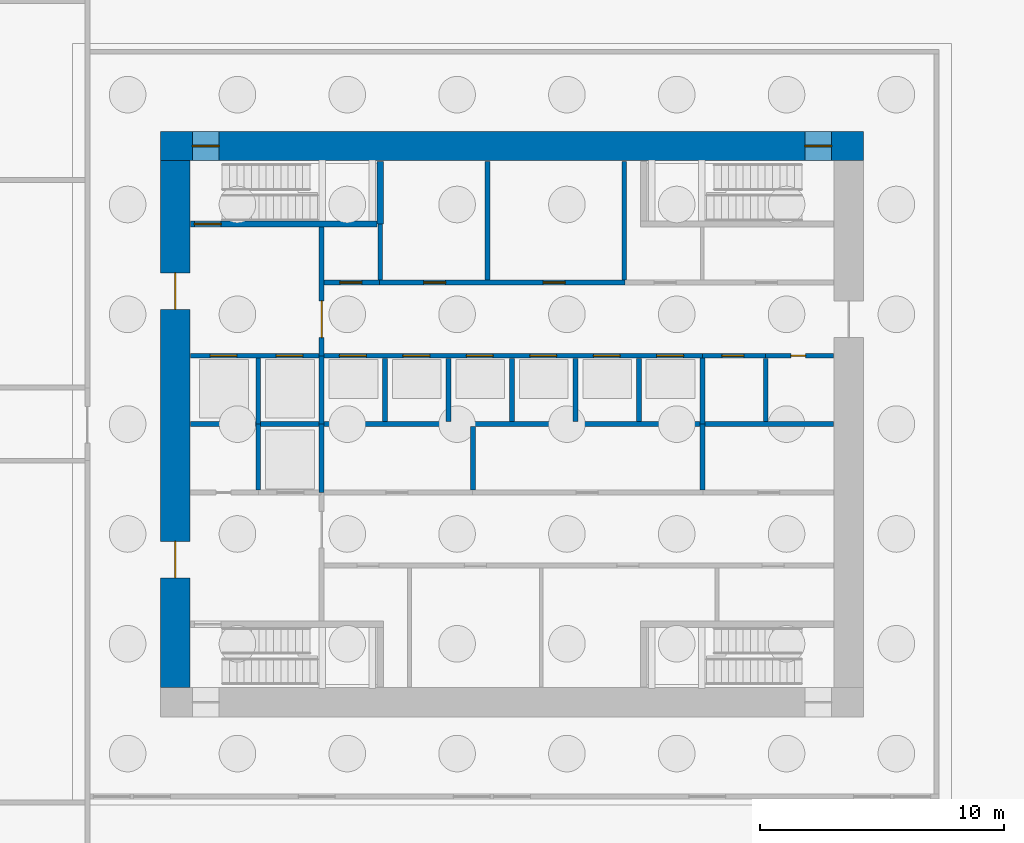
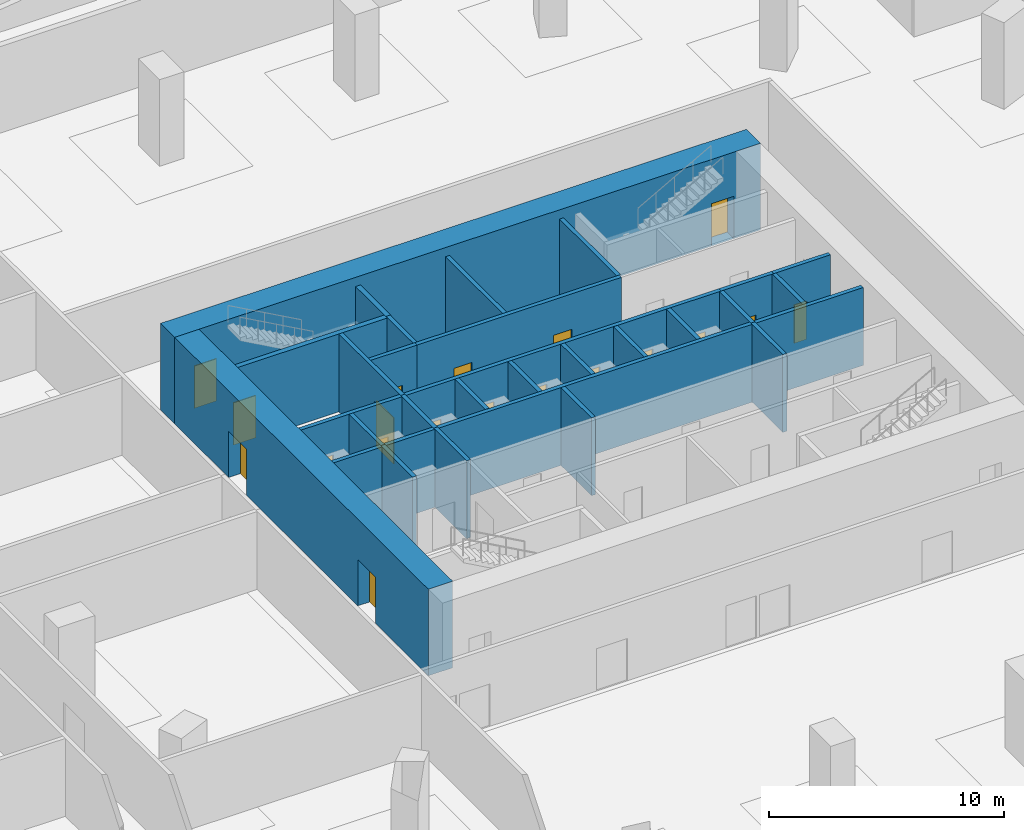
# One storey, part 8 of 14: 28 walls, 19 doors, 19 openings.
"""IFC4 building model written with IfcOpenShell, lengths in metres."""

from ifc_helpers import new_model, si_unit, direction, frame, frame_2d, origin, place, context, subcontext, project, spatial, rectangle, extrude, material, layer, layer_set, type_object, element, fill, save


model = new_model("IFC4")

# Units and contexts
model_context = context("Model", 3, precision=1e-05, world=origin(), true_north=direction((0.0, 1.0)))
body_context = subcontext(model_context, "Body", "Model", "MODEL_VIEW")
ifc_project = project(units=[si_unit("LENGTHUNIT", "METRE"), si_unit("AREAUNIT", "SQUARE_METRE"), si_unit("VOLUMEUNIT", "CUBIC_METRE"), si_unit("PLANEANGLEUNIT", "RADIAN"), si_unit("MASSUNIT", "GRAM", prefix="KILO")], contexts=[model_context])

# Site, building, storey
site_placement = place(None, origin())
site = spatial("IfcSite", under=ifc_project, at=site_placement, CompositionType="ELEMENT")
building_placement = place(site_placement, origin())
building = spatial("IfcBuilding", under=site, at=building_placement, Name="Msitu Wima Residences", CompositionType="ELEMENT")
storey_placement = place(building_placement, frame((0.0, 0.0, -9.0)))
storey = spatial("IfcBuildingStorey", under=building, at=storey_placement, Name="B2", CompositionType="ELEMENT", Elevation=-9.0)

# Wall, openings, doors
ifc_material_1 = material(Name="Concrete C80/95", Category="concrete")
ifc_layer_1 = layer(ifc_material_1, 1.199951171875)
ifc_layer_set_1 = layer_set([ifc_layer_1], Name="Concrete C80/95")
wall_type_1 = type_object("IfcWallType", Name="Core wall CW1200 C80/95", PredefinedType="SHEAR", material=ifc_layer_set_1)
wall_1_placement = place(storey_placement, frame((-14.39990234375, 11.39990234375, 0.0), z_axis=(0.0, 0.0, 1.0), x_axis=(1.0, 0.0, 0.0)))
wall_1 = element("IfcWall", 1, at=wall_1_placement, inside=storey, type_object=wall_type_1, Name="Core wall", PredefinedType="SHEAR", context=body_context, shape_type="SweptSolid", body=[
    extrude(rectangle(XDim=28.7998046875, YDim=1.199951171875, at=frame_2d((14.39990234375, 0.0))), origin(), (0.0, 0.0, 1.0), 4.5),
])
opening_1_placement = place(wall_1_placement, frame((1.300048828125, 0.0, 0.0)))
opening_1 = element("IfcOpeningElement", 2, at=opening_1_placement, cuts=wall_1, Name="Opening DB2.049", PredefinedType="OPENING", context=body_context, shape_type="SweptSolid", body=[
    extrude(rectangle(XDim=1.10009765625, YDim=2.199951171875, at=frame_2d((0.550048828125, 1.10009765625))), frame((0.0, 0.60986328125, 0.0), z_axis=(0.0, -1.0, 0.0), x_axis=(1.0, 0.0, 0.0)), (0.0, 0.0, 1.0), 1.219970703125),
])
opening_2_placement = place(wall_1_placement, frame((26.39990234375, 0.0, 0.0)))
opening_2 = element("IfcOpeningElement", 3, at=opening_2_placement, cuts=wall_1, Name="Opening DB2.051", PredefinedType="OPENING", context=body_context, shape_type="SweptSolid", body=[
    extrude(rectangle(XDim=1.10009765625, YDim=2.199951171875, at=frame_2d((0.550048828125, 1.10009765625))), frame((0.0, 0.60986328125, 0.0), z_axis=(0.0, -1.0, 0.0), x_axis=(1.0, 0.0, 0.0)), (0.0, 0.0, 1.0), 1.219970703125),
])
ifc_material_2 = material(Name="Steel door, fire resisting, panic bar", Category="steel")
door_type_1 = type_object("IfcDoorType", Name="Stair door D06 1100x2200", OperationType="SINGLE_SWING_LEFT", PredefinedType="DOOR", material=ifc_material_2)
door_1_placement = place(opening_1_placement, origin())
door_1 = element("IfcDoor", 4, at=door_1_placement, inside=storey, type_object=door_type_1, Name="Stair door", OperationType="SINGLE_SWING_RIGHT", OverallHeight=2.199951171875, OverallWidth=1.10009765625, PredefinedType="DOOR", context=body_context, shape_type="SweptSolid", body=[
    extrude(rectangle(XDim=1.10009765625, YDim=2.199951171875, at=frame_2d((0.550048828125, 1.10009765625))), frame((0.0, 0.02490234375, 0.0), z_axis=(0.0, -1.0, 0.0), x_axis=(1.0, 0.0, 0.0)), (0.0, 0.0, 1.0), 0.050048828125),
])
fill(opening_1, door_1)
door_2_placement = place(opening_2_placement, origin())
door_2 = element("IfcDoor", 5, at=door_2_placement, inside=storey, type_object=door_type_1, Name="Stair door", OperationType="SINGLE_SWING_LEFT", OverallHeight=2.199951171875, OverallWidth=1.10009765625, PredefinedType="DOOR", context=body_context, shape_type="SweptSolid", body=[
    extrude(rectangle(XDim=1.10009765625, YDim=2.199951171875, at=frame_2d((0.550048828125, 1.10009765625))), frame((0.0, 0.02490234375, 0.0), z_axis=(0.0, -1.0, 0.0), x_axis=(1.0, 0.0, 0.0)), (0.0, 0.0, 1.0), 0.050048828125),
])
fill(opening_2, door_2)

wall_2_placement = place(storey_placement, frame((-13.800048828125, -10.800048828125, 0.0), z_axis=(0.0, 0.0, 1.0), x_axis=(0.0, 1.0, 0.0)))
wall_2 = element("IfcWall", 6, at=wall_2_placement, inside=storey, type_object=wall_type_1, Name="Core wall", PredefinedType="SHEAR", context=body_context, shape_type="SweptSolid", body=[
    extrude(rectangle(XDim=21.60009765625, YDim=1.199951171875, at=frame_2d((10.800048828125, 0.0))), origin(), (0.0, 0.0, 1.0), 4.5),
])
opening_3_placement = place(wall_2_placement, frame((15.5, 0.0, 0.0)))
opening_3 = element("IfcOpeningElement", 7, at=opening_3_placement, cuts=wall_2, Name="Opening DB2.047", PredefinedType="OPENING", context=body_context, shape_type="SweptSolid", body=[
    extrude(rectangle(XDim=1.5, YDim=2.39990234375, at=frame_2d((0.75, 1.199951171875))), frame((0.0, 0.60986328125, 0.0), z_axis=(0.0, -1.0, 0.0), x_axis=(1.0, 0.0, 0.0)), (0.0, 0.0, 1.0), 1.219970703125),
])
opening_4_placement = place(wall_2_placement, frame((4.5, 0.0, 0.0)))
opening_4 = element("IfcOpeningElement", 8, at=opening_4_placement, cuts=wall_2, Name="Opening DB2.048", PredefinedType="OPENING", context=body_context, shape_type="SweptSolid", body=[
    extrude(rectangle(XDim=1.5, YDim=2.39990234375, at=frame_2d((0.75, 1.199951171875))), frame((0.0, 0.60986328125, 0.0), z_axis=(0.0, -1.0, 0.0), x_axis=(1.0, 0.0, 0.0)), (0.0, 0.0, 1.0), 1.219970703125),
])
ifc_material_3 = material(Name="Steel framed glazed door, fire resisting", Category="steel")
door_type_2 = type_object("IfcDoorType", Name="Lobby door D07 1500x2400", OperationType="DOUBLE_DOOR_SINGLE_SWING", PredefinedType="DOOR", material=ifc_material_3)
door_3_placement = place(opening_3_placement, origin())
door_3 = element("IfcDoor", 9, at=door_3_placement, inside=storey, type_object=door_type_2, Name="Lobby door", OperationType="DOUBLE_DOOR_SINGLE_SWING", OverallHeight=2.39990234375, OverallWidth=1.5, PredefinedType="DOOR", context=body_context, shape_type="SweptSolid", body=[
    extrude(rectangle(XDim=1.5, YDim=2.39990234375, at=frame_2d((0.75, 1.199951171875))), frame((0.0, 0.02490234375, 0.0), z_axis=(0.0, -1.0, 0.0), x_axis=(1.0, 0.0, 0.0)), (0.0, 0.0, 1.0), 0.050048828125),
])
fill(opening_3, door_3)
door_4_placement = place(opening_4_placement, origin())
door_4 = element("IfcDoor", 10, at=door_4_placement, inside=storey, type_object=door_type_2, Name="Lobby door", OperationType="DOUBLE_DOOR_SINGLE_SWING", OverallHeight=2.39990234375, OverallWidth=1.5, PredefinedType="DOOR", context=body_context, shape_type="SweptSolid", body=[
    extrude(rectangle(XDim=1.5, YDim=2.39990234375, at=frame_2d((0.75, 1.199951171875))), frame((0.0, 0.02490234375, 0.0), z_axis=(0.0, -1.0, 0.0), x_axis=(1.0, 0.0, 0.0)), (0.0, 0.0, 1.0), 0.050048828125),
])
fill(opening_4, door_4)

# Wall, opening, door
ifc_material_4 = material(Name="Plaster")
ifc_layer_2 = layer(ifc_material_4, 0.011962890625, Name="Plaster")
ifc_material_5 = material(Name="Concrete blockwork", Category="masonry")
ifc_layer_3 = layer(ifc_material_5, 0.176025390625, Name="Concrete blockwork")
ifc_layer_4 = layer(ifc_material_4, 0.011962890625, Name="Plaster")
ifc_layer_set_2 = layer_set([ifc_layer_2, ifc_layer_3, ifc_layer_4], Name="Concrete blockwork")
wall_type_2 = type_object("IfcWallType", Name="Corridor wall FW200", PredefinedType="PARTITIONING", material=ifc_layer_set_2)
wall_3_placement = place(storey_placement, frame((-7.800048828125, 2.800048828125, 0.0), z_axis=(0.0, 0.0, 1.0), x_axis=(0.0, 1.0, 0.0)))
wall_3 = element("IfcWall", 11, at=wall_3_placement, inside=storey, type_object=wall_type_2, Name="Corridor wall", PredefinedType="PARTITIONING", context=body_context, shape_type="SweptSolid", body=[
    extrude(rectangle(XDim=5.27490234375, YDim=0.199951171875, at=frame_2d((2.637451171875, 0.0))), origin(), (0.0, 0.0, 1.0), 4.048095703125),
])
opening_5_placement = place(wall_3_placement, frame((0.75, 0.0, 0.0)))
opening_5 = element("IfcOpeningElement", 12, at=opening_5_placement, cuts=wall_3, Name="Opening DB2.002", PredefinedType="OPENING", context=body_context, shape_type="SweptSolid", body=[
    extrude(rectangle(XDim=1.5, YDim=2.39990234375, at=frame_2d((0.75, 1.199951171875))), frame((0.0, 0.10986328125, 0.0), z_axis=(0.0, -1.0, 0.0), x_axis=(1.0, 0.0, 0.0)), (0.0, 0.0, 1.0), 0.219970703125),
])
door_5_placement = place(opening_5_placement, origin())
door_5 = element("IfcDoor", 13, at=door_5_placement, inside=storey, type_object=door_type_2, Name="Lobby door", OperationType="DOUBLE_DOOR_SINGLE_SWING", OverallHeight=2.39990234375, OverallWidth=1.5, PredefinedType="DOOR", context=body_context, shape_type="SweptSolid", body=[
    extrude(rectangle(XDim=1.5, YDim=2.39990234375, at=frame_2d((0.75, 1.199951171875))), frame((0.0, 0.02490234375, 0.0), z_axis=(0.0, -1.0, 0.0), x_axis=(1.0, 0.0, 0.0)), (0.0, 0.0, 1.0), 0.050048828125),
])
fill(opening_5, door_5)

wall_4_placement = place(storey_placement, frame((-7.699951171875, 5.800048828125, 0.0), z_axis=(0.0, 0.0, 1.0), x_axis=(1.0, 0.0, 0.0)))
wall_4 = element("IfcWall", 14, at=wall_4_placement, inside=storey, type_object=wall_type_2, Name="Corridor wall", PredefinedType="PARTITIONING", context=body_context, shape_type="SweptSolid", body=[
    extrude(rectangle(XDim=2.280029296875, YDim=0.199951171875, at=frame_2d((1.14013671875, 0.0))), origin(), (0.0, 0.0, 1.0), 4.048095703125),
])
opening_6_placement = place(wall_4_placement, frame((0.64990234375, 0.0, 0.0)))
opening_6 = element("IfcOpeningElement", 15, at=opening_6_placement, cuts=wall_4, Name="Opening DB2.004", PredefinedType="OPENING", context=body_context, shape_type="SweptSolid", body=[
    extrude(rectangle(XDim=0.89990234375, YDim=2.199951171875, at=frame_2d((0.449951171875, 1.10009765625))), frame((0.0, 0.10986328125, 0.0), z_axis=(0.0, -1.0, 0.0), x_axis=(1.0, 0.0, 0.0)), (0.0, 0.0, 1.0), 0.219970703125),
])
ifc_material_6 = material(Name="Timber flush door", Category="wood")
door_type_3 = type_object("IfcDoorType", Name="Service door D05 900x2200", OperationType="SINGLE_SWING_LEFT", PredefinedType="DOOR", material=ifc_material_6)
door_6_placement = place(opening_6_placement, origin())
door_6 = element("IfcDoor", 16, at=door_6_placement, inside=storey, type_object=door_type_3, Name="Service door", OperationType="SINGLE_SWING_LEFT", OverallHeight=2.199951171875, OverallWidth=0.89990234375, PredefinedType="DOOR", context=body_context, shape_type="SweptSolid", body=[
    extrude(rectangle(XDim=0.89990234375, YDim=2.199951171875, at=frame_2d((0.449951171875, 1.10009765625))), frame((0.0, 0.02490234375, 0.0), z_axis=(0.0, -1.0, 0.0), x_axis=(1.0, 0.0, 0.0)), (0.0, 0.0, 1.0), 0.050048828125),
])
fill(opening_6, door_6)

wall_5_placement = place(storey_placement, frame((7.800048828125, 2.800048828125, 0.0), z_axis=(0.0, 0.0, 1.0), x_axis=(1.0, 0.0, 0.0)))
wall_5 = element("IfcWall", 17, at=wall_5_placement, inside=storey, type_object=wall_type_2, Name="Corridor wall", PredefinedType="PARTITIONING", context=body_context, shape_type="SweptSolid", body=[
    extrude(rectangle(XDim=2.579833984375, YDim=0.199951171875, at=frame_2d((1.2900390625, 0.0))), origin(), (0.0, 0.0, 1.0), 4.048095703125),
])
opening_7_placement = place(wall_5_placement, frame((0.800048828125, 0.0, 0.0)))
opening_7 = element("IfcOpeningElement", 18, at=opening_7_placement, cuts=wall_5, Name="Opening DB2.013", PredefinedType="OPENING", context=body_context, shape_type="SweptSolid", body=[
    extrude(rectangle(XDim=0.89990234375, YDim=2.199951171875, at=frame_2d((0.449951171875, 1.10009765625))), frame((0.0, 0.10986328125, 0.0), z_axis=(0.0, -1.0, 0.0), x_axis=(1.0, 0.0, 0.0)), (0.0, 0.0, 1.0), 0.219970703125),
])
door_7_placement = place(opening_7_placement, origin())
door_7 = element("IfcDoor", 19, at=door_7_placement, inside=storey, type_object=door_type_3, Name="Service door", OperationType="SINGLE_SWING_RIGHT", OverallHeight=2.199951171875, OverallWidth=0.89990234375, PredefinedType="DOOR", context=body_context, shape_type="SweptSolid", body=[
    extrude(rectangle(XDim=0.89990234375, YDim=2.199951171875, at=frame_2d((0.449951171875, 1.10009765625))), frame((0.0, 0.02490234375, 0.0), z_axis=(0.0, -1.0, 0.0), x_axis=(1.0, 0.0, 0.0)), (0.0, 0.0, 1.0), 0.050048828125),
])
fill(opening_7, door_7)

# Wall, openings, doors
ifc_layer_5 = layer(ifc_material_4, 0.011962890625, Name="Plaster")
ifc_material_7 = material(Name="Reinforced concrete blockwork", Category="masonry")
ifc_layer_6 = layer(ifc_material_7, 0.176025390625, Name="Reinforced concrete blockwork")
ifc_layer_7 = layer(ifc_material_4, 0.011962890625, Name="Plaster")
ifc_layer_set_3 = layer_set([ifc_layer_5, ifc_layer_6, ifc_layer_7], Name="Reinforced concrete blockwork")
wall_type_3 = type_object("IfcWallType", Name="Plant and riser wall PL200", PredefinedType="PARTITIONING", material=ifc_layer_set_3)
wall_6_placement = place(storey_placement, frame((-5.419921875, 5.800048828125, 0.0), z_axis=(0.0, 0.0, 1.0), x_axis=(1.0, 0.0, 0.0)))
wall_6 = element("IfcWall", 20, at=wall_6_placement, inside=storey, type_object=wall_type_3, Name="Plant and riser wall", PredefinedType="PARTITIONING", context=body_context, shape_type="SweptSolid", body=[
    extrude(rectangle(XDim=10.0400390625, YDim=0.199951171875, at=frame_2d((5.02001953125, 0.0))), origin(), (0.0, 0.0, 1.0), 4.048095703125),
])
opening_8_placement = place(wall_6_placement, frame((1.800048828125, 0.0, 0.0)))
opening_8 = element("IfcOpeningElement", 21, at=opening_8_placement, cuts=wall_6, Name="Opening DB2.005", PredefinedType="OPENING", context=body_context, shape_type="SweptSolid", body=[
    extrude(rectangle(XDim=0.89990234375, YDim=2.199951171875, at=frame_2d((0.449951171875, 1.10009765625))), frame((0.0, 0.10986328125, 0.0), z_axis=(0.0, -1.0, 0.0), x_axis=(1.0, 0.0, 0.0)), (0.0, 0.0, 1.0), 0.219970703125),
])
opening_9_placement = place(wall_6_placement, frame((6.699951171875, 0.0, 0.0)))
opening_9 = element("IfcOpeningElement", 22, at=opening_9_placement, cuts=wall_6, Name="Opening DB2.006", PredefinedType="OPENING", context=body_context, shape_type="SweptSolid", body=[
    extrude(rectangle(XDim=0.89990234375, YDim=2.199951171875, at=frame_2d((0.449951171875, 1.10009765625))), frame((0.0, 0.10986328125, 0.0), z_axis=(0.0, -1.0, 0.0), x_axis=(1.0, 0.0, 0.0)), (0.0, 0.0, 1.0), 0.219970703125),
])
door_8_placement = place(opening_8_placement, origin())
door_8 = element("IfcDoor", 23, at=door_8_placement, inside=storey, type_object=door_type_3, Name="Service door", OperationType="SINGLE_SWING_RIGHT", OverallHeight=2.199951171875, OverallWidth=0.89990234375, PredefinedType="DOOR", context=body_context, shape_type="SweptSolid", body=[
    extrude(rectangle(XDim=0.89990234375, YDim=2.199951171875, at=frame_2d((0.449951171875, 1.10009765625))), frame((0.0, 0.02490234375, 0.0), z_axis=(0.0, -1.0, 0.0), x_axis=(1.0, 0.0, 0.0)), (0.0, 0.0, 1.0), 0.050048828125),
])
fill(opening_8, door_8)
door_9_placement = place(opening_9_placement, origin())
door_9 = element("IfcDoor", 24, at=door_9_placement, inside=storey, type_object=door_type_3, Name="Service door", OperationType="SINGLE_SWING_LEFT", OverallHeight=2.199951171875, OverallWidth=0.89990234375, PredefinedType="DOOR", context=body_context, shape_type="SweptSolid", body=[
    extrude(rectangle(XDim=0.89990234375, YDim=2.199951171875, at=frame_2d((0.449951171875, 1.10009765625))), frame((0.0, 0.02490234375, 0.0), z_axis=(0.0, -1.0, 0.0), x_axis=(1.0, 0.0, 0.0)), (0.0, 0.0, 1.0), 0.050048828125),
])
fill(opening_9, door_9)

# Walls
wall_7_placement = place(storey_placement, frame((-5.39990234375, 5.89990234375, 0.0), z_axis=(0.0, 0.0, 1.0), x_axis=(0.0, 1.0, 0.0)))
element("IfcWall", 25, at=wall_7_placement, inside=storey, type_object=wall_type_3, Name="Plant and riser wall", PredefinedType="PARTITIONING", context=body_context, shape_type="SweptSolid", body=[
    extrude(rectangle(XDim=2.300048828125, YDim=0.199951171875, at=frame_2d((1.14990234375, 0.0))), origin(), (0.0, 0.0, 1.0), 4.048095703125),
])
wall_8_placement = place(storey_placement, frame((-1.60009765625, -2.699951171875, 0.0), z_axis=(0.0, 0.0, 1.0), x_axis=(0.0, 1.0, 0.0)))
element("IfcWall", 26, at=wall_8_placement, inside=storey, type_object=wall_type_3, Name="Plant and riser wall", PredefinedType="PARTITIONING", context=body_context, shape_type="SweptSolid", body=[
    extrude(rectangle(XDim=2.599853515625, YDim=0.199951171875, at=frame_2d((1.2998046875, 0.0))), origin(), (0.0, 0.0, 1.0), 4.048095703125),
])
for number, where, z_axis, x_axis, name in (
    (27, (-1.0, 5.89990234375, 0.0), (0.0, 0.0, 1.0), (0.0, 1.0, 0.0), "Plant and riser wall"),
    (28, (4.60009765625, 5.89990234375, 0.0), (0.0, 0.0, 1.0), (0.0, 1.0, 0.0), "Plant and riser wall"),
):
    element("IfcWall", number, at=place(storey_placement, frame(where, z_axis=z_axis, x_axis=x_axis)), inside=storey, type_object=wall_type_3, Name=name, PredefinedType="PARTITIONING", context=body_context, shape_type="SweptSolid", body=[
        extrude(rectangle(XDim=4.8701171875, YDim=0.199951171875, at=frame_2d((2.43505859375, 0.0))), origin(), (0.0, 0.0, 1.0), 4.048095703125),
    ])
wall_9_placement = place(storey_placement, frame((7.800048828125, -2.699951171875, 0.0), z_axis=(0.0, 0.0, 1.0), x_axis=(0.0, 1.0, 0.0)))
element("IfcWall", 29, at=wall_9_placement, inside=storey, type_object=wall_type_3, Name="Plant and riser wall", PredefinedType="PARTITIONING", context=body_context, shape_type="SweptSolid", body=[
    extrude(rectangle(XDim=2.699951171875, YDim=0.199951171875, at=frame_2d((1.35009765625, 0.0))), origin(), (0.0, 0.0, 1.0), 4.048095703125),
])
wall_10_placement = place(storey_placement, frame((7.800048828125, 0.0, 0.0), z_axis=(0.0, 0.0, 1.0), x_axis=(1.0, 0.0, 0.0)))
element("IfcWall", 30, at=wall_10_placement, inside=storey, type_object=wall_type_3, Name="Plant and riser wall", PredefinedType="PARTITIONING", context=body_context, shape_type="SweptSolid", body=[
    extrude(rectangle(XDim=5.369873046875, YDim=0.199951171875, at=frame_2d((2.68505859375, 0.0))), origin(), (0.0, 0.0, 1.0), 4.048095703125),
])

# Wall, opening, door
wall_11_placement = place(storey_placement, frame((10.3798828125, 2.800048828125, 0.0), z_axis=(0.0, 0.0, 1.0), x_axis=(1.0, 0.0, 0.0)))
wall_11 = element("IfcWall", 31, at=wall_11_placement, inside=storey, type_object=wall_type_3, Name="Plant and riser wall", PredefinedType="PARTITIONING", context=body_context, shape_type="SweptSolid", body=[
    extrude(rectangle(XDim=2.7900390625, YDim=0.199951171875, at=frame_2d((1.39501953125, 0.0))), origin(), (0.0, 0.0, 1.0), 4.048095703125),
])
opening_10_placement = place(wall_11_placement, frame((1.050048828125, 0.0, 0.0)))
opening_10 = element("IfcOpeningElement", 32, at=opening_10_placement, cuts=wall_11, Name="Opening DB2.014", PredefinedType="OPENING", context=body_context, shape_type="SweptSolid", body=[
    extrude(rectangle(XDim=0.60009765625, YDim=2.0, at=frame_2d((0.300048828125, 1.0))), frame((0.0, 0.10986328125, 0.0), z_axis=(0.0, -1.0, 0.0), x_axis=(1.0, 0.0, 0.0)), (0.0, 0.0, 1.0), 0.219970703125),
])
ifc_material_8 = material(Name="Steel access door, fire resisting", Category="steel")
door_type_4 = type_object("IfcDoorType", Name="Riser access door D08 600x2000", OperationType="SINGLE_SWING_LEFT", PredefinedType="DOOR", material=ifc_material_8)
door_10_placement = place(opening_10_placement, origin())
door_10 = element("IfcDoor", 33, at=door_10_placement, inside=storey, type_object=door_type_4, Name="Riser access door", OperationType="SINGLE_SWING_RIGHT", OverallHeight=2.0, OverallWidth=0.60009765625, PredefinedType="DOOR", context=body_context, shape_type="SweptSolid", body=[
    extrude(rectangle(XDim=0.60009765625, YDim=2.0, at=frame_2d((0.300048828125, 1.0))), frame((0.0, 0.02490234375, 0.0), z_axis=(0.0, -1.0, 0.0), x_axis=(1.0, 0.0, 0.0)), (0.0, 0.0, 1.0), 0.050048828125),
])
fill(opening_10, door_10)

# Walls
wall_12_placement = place(storey_placement, frame((10.39990234375, 0.10009765625, 0.0), z_axis=(0.0, 0.0, 1.0), x_axis=(0.0, 1.0, 0.0)))
element("IfcWall", 34, at=wall_12_placement, inside=storey, type_object=wall_type_3, Name="Plant and riser wall", PredefinedType="PARTITIONING", context=body_context, shape_type="SweptSolid", body=[
    extrude(rectangle(XDim=2.599853515625, YDim=0.199951171875, at=frame_2d((1.2998046875, 0.0))), origin(), (0.0, 0.0, 1.0), 4.048095703125),
])
ifc_material_9 = material(Name="Fire-rated board")
ifc_layer_8 = layer(ifc_material_9, 0.02490234375, Name="Fire-rated board")
ifc_material_10 = material(Name="Light-gauge stud framing with mineral wool")
ifc_layer_9 = layer(ifc_material_10, 0.14990234375, Name="Light-gauge stud framing with mineral wool")
ifc_layer_10 = layer(ifc_material_9, 0.02490234375, Name="Fire-rated board")
ifc_layer_set_4 = layer_set([ifc_layer_8, ifc_layer_9, ifc_layer_10], Name="Light-gauge stud framing with mineral wool")
wall_type_4 = type_object("IfcWallType", Name="Shaft wall SH200", PredefinedType="PARTITIONING", material=ifc_layer_set_4)
wall_13_placement = place(storey_placement, frame((-13.169921875, 0.0, 0.0), z_axis=(0.0, 0.0, 1.0), x_axis=(1.0, 0.0, 0.0)))
element("IfcWall", 35, at=wall_13_placement, inside=storey, type_object=wall_type_4, Name="Shaft wall", PredefinedType="PARTITIONING", context=body_context, shape_type="SweptSolid", body=[
    extrude(rectangle(XDim=20.969970703125, YDim=0.199951171875, at=frame_2d((10.48486328125, 0.0))), origin(), (0.0, 0.0, 1.0), 4.048095703125),
])

# Wall, openings, doors
wall_14_placement = place(storey_placement, frame((-13.169921875, 2.800048828125, 0.0), z_axis=(0.0, 0.0, 1.0), x_axis=(1.0, 0.0, 0.0)))
wall_14 = element("IfcWall", 36, at=wall_14_placement, inside=storey, type_object=wall_type_4, Name="Shaft wall", PredefinedType="PARTITIONING", context=body_context, shape_type="SweptSolid", body=[
    extrude(rectangle(XDim=20.969970703125, YDim=0.199951171875, at=frame_2d((10.48486328125, 0.0))), origin(), (0.0, 0.0, 1.0), 4.048095703125),
])
opening_11_placement = place(wall_14_placement, frame((0.800048828125, 0.0, 0.0)))
opening_11 = element("IfcOpeningElement", 37, at=opening_11_placement, cuts=wall_14, Name="Opening LD", PredefinedType="OPENING", context=body_context, shape_type="SweptSolid", body=[
    extrude(rectangle(XDim=1.10009765625, YDim=2.199951171875, at=frame_2d((0.550048828125, 1.10009765625))), frame((0.0, 0.10986328125, 0.0), z_axis=(0.0, -1.0, 0.0), x_axis=(1.0, 0.0, 0.0)), (0.0, 0.0, 1.0), 0.219970703125),
])
opening_12_placement = place(wall_14_placement, frame((3.5, 0.0, 0.0)))
opening_12 = element("IfcOpeningElement", 38, at=opening_12_placement, cuts=wall_14, Name="Opening LD", PredefinedType="OPENING", context=body_context, shape_type="SweptSolid", body=[
    extrude(rectangle(XDim=1.10009765625, YDim=2.199951171875, at=frame_2d((0.550048828125, 1.10009765625))), frame((0.0, 0.10986328125, 0.0), z_axis=(0.0, -1.0, 0.0), x_axis=(1.0, 0.0, 0.0)), (0.0, 0.0, 1.0), 0.219970703125),
])
opening_13_placement = place(wall_14_placement, frame((6.10009765625, 0.0, 0.0)))
opening_13 = element("IfcOpeningElement", 39, at=opening_13_placement, cuts=wall_14, Name="Opening LD", PredefinedType="OPENING", context=body_context, shape_type="SweptSolid", body=[
    extrude(rectangle(XDim=1.10009765625, YDim=2.199951171875, at=frame_2d((0.550048828125, 1.10009765625))), frame((0.0, 0.10986328125, 0.0), z_axis=(0.0, -1.0, 0.0), x_axis=(1.0, 0.0, 0.0)), (0.0, 0.0, 1.0), 0.219970703125),
])
opening_14_placement = place(wall_14_placement, frame((8.699951171875, 0.0, 0.0)))
opening_14 = element("IfcOpeningElement", 40, at=opening_14_placement, cuts=wall_14, Name="Opening LD", PredefinedType="OPENING", context=body_context, shape_type="SweptSolid", body=[
    extrude(rectangle(XDim=1.10009765625, YDim=2.199951171875, at=frame_2d((0.550048828125, 1.10009765625))), frame((0.0, 0.10986328125, 0.0), z_axis=(0.0, -1.0, 0.0), x_axis=(1.0, 0.0, 0.0)), (0.0, 0.0, 1.0), 0.219970703125),
])
opening_15_placement = place(wall_14_placement, frame((11.300048828125, 0.0, 0.0)))
opening_15 = element("IfcOpeningElement", 41, at=opening_15_placement, cuts=wall_14, Name="Opening LD", PredefinedType="OPENING", context=body_context, shape_type="SweptSolid", body=[
    extrude(rectangle(XDim=1.10009765625, YDim=2.199951171875, at=frame_2d((0.550048828125, 1.10009765625))), frame((0.0, 0.10986328125, 0.0), z_axis=(0.0, -1.0, 0.0), x_axis=(1.0, 0.0, 0.0)), (0.0, 0.0, 1.0), 0.219970703125),
])
opening_16_placement = place(wall_14_placement, frame((13.89990234375, 0.0, 0.0)))
opening_16 = element("IfcOpeningElement", 42, at=opening_16_placement, cuts=wall_14, Name="Opening LD", PredefinedType="OPENING", context=body_context, shape_type="SweptSolid", body=[
    extrude(rectangle(XDim=1.10009765625, YDim=2.199951171875, at=frame_2d((0.550048828125, 1.10009765625))), frame((0.0, 0.10986328125, 0.0), z_axis=(0.0, -1.0, 0.0), x_axis=(1.0, 0.0, 0.0)), (0.0, 0.0, 1.0), 0.219970703125),
])
opening_17_placement = place(wall_14_placement, frame((16.5, 0.0, 0.0)))
opening_17 = element("IfcOpeningElement", 43, at=opening_17_placement, cuts=wall_14, Name="Opening LD", PredefinedType="OPENING", context=body_context, shape_type="SweptSolid", body=[
    extrude(rectangle(XDim=1.10009765625, YDim=2.199951171875, at=frame_2d((0.550048828125, 1.10009765625))), frame((0.0, 0.10986328125, 0.0), z_axis=(0.0, -1.0, 0.0), x_axis=(1.0, 0.0, 0.0)), (0.0, 0.0, 1.0), 0.219970703125),
])
opening_18_placement = place(wall_14_placement, frame((19.10009765625, 0.0, 0.0)))
opening_18 = element("IfcOpeningElement", 44, at=opening_18_placement, cuts=wall_14, Name="Opening LD", PredefinedType="OPENING", context=body_context, shape_type="SweptSolid", body=[
    extrude(rectangle(XDim=1.10009765625, YDim=2.199951171875, at=frame_2d((0.550048828125, 1.10009765625))), frame((0.0, 0.10986328125, 0.0), z_axis=(0.0, -1.0, 0.0), x_axis=(1.0, 0.0, 0.0)), (0.0, 0.0, 1.0), 0.219970703125),
])
ifc_material_11 = material(Name="Stainless steel centre-opening landing door, rated", Category="steel")
door_type_5 = type_object("IfcDoorType", Name="Lift landing door LD 1100x2200", OperationType="DOUBLE_DOOR_SLIDING", PredefinedType="DOOR", material=ifc_material_11)
door_11_placement = place(opening_11_placement, origin())
door_11 = element("IfcDoor", 45, at=door_11_placement, inside=storey, type_object=door_type_5, Name="Lift landing door LD1", OperationType="DOUBLE_DOOR_SLIDING", OverallHeight=2.199951171875, OverallWidth=1.10009765625, PredefinedType="DOOR", context=body_context, shape_type="SweptSolid", body=[
    extrude(rectangle(XDim=1.10009765625, YDim=2.199951171875, at=frame_2d((0.550048828125, 1.10009765625))), frame((0.0, 0.02490234375, 0.0), z_axis=(0.0, -1.0, 0.0), x_axis=(1.0, 0.0, 0.0)), (0.0, 0.0, 1.0), 0.050048828125),
])
fill(opening_11, door_11)
door_12_placement = place(opening_12_placement, origin())
door_12 = element("IfcDoor", 46, at=door_12_placement, inside=storey, type_object=door_type_5, Name="Lift landing door LD2", OperationType="DOUBLE_DOOR_SLIDING", OverallHeight=2.199951171875, OverallWidth=1.10009765625, PredefinedType="DOOR", context=body_context, shape_type="SweptSolid", body=[
    extrude(rectangle(XDim=1.10009765625, YDim=2.199951171875, at=frame_2d((0.550048828125, 1.10009765625))), frame((0.0, 0.02490234375, 0.0), z_axis=(0.0, -1.0, 0.0), x_axis=(1.0, 0.0, 0.0)), (0.0, 0.0, 1.0), 0.050048828125),
])
fill(opening_12, door_12)
door_13_placement = place(opening_13_placement, origin())
door_13 = element("IfcDoor", 47, at=door_13_placement, inside=storey, type_object=door_type_5, Name="Lift landing door LD4", OperationType="DOUBLE_DOOR_SLIDING", OverallHeight=2.199951171875, OverallWidth=1.10009765625, PredefinedType="DOOR", context=body_context, shape_type="SweptSolid", body=[
    extrude(rectangle(XDim=1.10009765625, YDim=2.199951171875, at=frame_2d((0.550048828125, 1.10009765625))), frame((0.0, 0.02490234375, 0.0), z_axis=(0.0, -1.0, 0.0), x_axis=(1.0, 0.0, 0.0)), (0.0, 0.0, 1.0), 0.050048828125),
])
fill(opening_13, door_13)
door_14_placement = place(opening_14_placement, origin())
door_14 = element("IfcDoor", 48, at=door_14_placement, inside=storey, type_object=door_type_5, Name="Lift landing door LD6", OperationType="DOUBLE_DOOR_SLIDING", OverallHeight=2.199951171875, OverallWidth=1.10009765625, PredefinedType="DOOR", context=body_context, shape_type="SweptSolid", body=[
    extrude(rectangle(XDim=1.10009765625, YDim=2.199951171875, at=frame_2d((0.550048828125, 1.10009765625))), frame((0.0, 0.02490234375, 0.0), z_axis=(0.0, -1.0, 0.0), x_axis=(1.0, 0.0, 0.0)), (0.0, 0.0, 1.0), 0.050048828125),
])
fill(opening_14, door_14)
door_15_placement = place(opening_15_placement, origin())
door_15 = element("IfcDoor", 49, at=door_15_placement, inside=storey, type_object=door_type_5, Name="Lift landing door LD8", OperationType="DOUBLE_DOOR_SLIDING", OverallHeight=2.199951171875, OverallWidth=1.10009765625, PredefinedType="DOOR", context=body_context, shape_type="SweptSolid", body=[
    extrude(rectangle(XDim=1.10009765625, YDim=2.199951171875, at=frame_2d((0.550048828125, 1.10009765625))), frame((0.0, 0.02490234375, 0.0), z_axis=(0.0, -1.0, 0.0), x_axis=(1.0, 0.0, 0.0)), (0.0, 0.0, 1.0), 0.050048828125),
])
fill(opening_15, door_15)
door_16_placement = place(opening_16_placement, origin())
door_16 = element("IfcDoor", 50, at=door_16_placement, inside=storey, type_object=door_type_5, Name="Lift landing door LD10", OperationType="DOUBLE_DOOR_SLIDING", OverallHeight=2.199951171875, OverallWidth=1.10009765625, PredefinedType="DOOR", context=body_context, shape_type="SweptSolid", body=[
    extrude(rectangle(XDim=1.10009765625, YDim=2.199951171875, at=frame_2d((0.550048828125, 1.10009765625))), frame((0.0, 0.02490234375, 0.0), z_axis=(0.0, -1.0, 0.0), x_axis=(1.0, 0.0, 0.0)), (0.0, 0.0, 1.0), 0.050048828125),
])
fill(opening_16, door_16)
door_17_placement = place(opening_17_placement, origin())
door_17 = element("IfcDoor", 51, at=door_17_placement, inside=storey, type_object=door_type_5, Name="Lift landing door LD12", OperationType="DOUBLE_DOOR_SLIDING", OverallHeight=2.199951171875, OverallWidth=1.10009765625, PredefinedType="DOOR", context=body_context, shape_type="SweptSolid", body=[
    extrude(rectangle(XDim=1.10009765625, YDim=2.199951171875, at=frame_2d((0.550048828125, 1.10009765625))), frame((0.0, 0.02490234375, 0.0), z_axis=(0.0, -1.0, 0.0), x_axis=(1.0, 0.0, 0.0)), (0.0, 0.0, 1.0), 0.050048828125),
])
fill(opening_17, door_17)
door_18_placement = place(opening_18_placement, origin())
door_18 = element("IfcDoor", 52, at=door_18_placement, inside=storey, type_object=door_type_5, Name="Lift landing door LD14", OperationType="DOUBLE_DOOR_SLIDING", OverallHeight=2.199951171875, OverallWidth=1.10009765625, PredefinedType="DOOR", context=body_context, shape_type="SweptSolid", body=[
    extrude(rectangle(XDim=1.10009765625, YDim=2.199951171875, at=frame_2d((0.550048828125, 1.10009765625))), frame((0.0, 0.02490234375, 0.0), z_axis=(0.0, -1.0, 0.0), x_axis=(1.0, 0.0, 0.0)), (0.0, 0.0, 1.0), 0.050048828125),
])
fill(opening_18, door_18)

# Walls
for number, where, z_axis, x_axis, name in (
    (53, (-10.39990234375, -2.699951171875, 0.0), (0.0, 0.0, 1.0), (0.0, 1.0, 0.0), "Shaft wall"),
    (54, (-10.39990234375, 0.0, 0.0), (0.0, 0.0, 1.0), (0.0, 1.0, 0.0), "Shaft wall"),
):
    element("IfcWall", number, at=place(storey_placement, frame(where, z_axis=z_axis, x_axis=x_axis)), inside=storey, type_object=wall_type_4, Name=name, PredefinedType="PARTITIONING", context=body_context, shape_type="SweptSolid", body=[
        extrude(rectangle(XDim=2.699951171875, YDim=0.199951171875, at=frame_2d((1.35009765625, 0.0))), origin(), (0.0, 0.0, 1.0), 4.048095703125),
    ])
for number, where, z_axis, x_axis, name in (
    (55, (-7.800048828125, -2.800048828125, 0.0), (0.0, 0.0, 1.0), (0.0, 1.0, 0.0), "Shaft wall"),
    (56, (-7.800048828125, 0.0, 0.0), (0.0, 0.0, 1.0), (0.0, 1.0, 0.0), "Shaft wall"),
):
    element("IfcWall", number, at=place(storey_placement, frame(where, z_axis=z_axis, x_axis=x_axis)), inside=storey, type_object=wall_type_4, Name=name, PredefinedType="PARTITIONING", context=body_context, shape_type="SweptSolid", body=[
        extrude(rectangle(XDim=2.800048828125, YDim=0.199951171875, at=frame_2d((1.39990234375, 0.0))), origin(), (0.0, 0.0, 1.0), 4.048095703125),
    ])
for number, where, z_axis, x_axis, name in (
    (57, (-5.199951171875, 0.10009765625, 0.0), (0.0, 0.0, 1.0), (0.0, 1.0, 0.0), "Shaft wall"),
    (58, (-2.60009765625, 0.10009765625, 0.0), (0.0, 0.0, 1.0), (0.0, 1.0, 0.0), "Shaft wall"),
    (59, (0.0, 0.10009765625, 0.0), (0.0, 0.0, 1.0), (0.0, 1.0, 0.0), "Shaft wall"),
    (60, (2.60009765625, 0.10009765625, 0.0), (0.0, 0.0, 1.0), (0.0, 1.0, 0.0), "Shaft wall"),
    (61, (5.199951171875, 0.10009765625, 0.0), (0.0, 0.0, 1.0), (0.0, 1.0, 0.0), "Shaft wall"),
):
    element("IfcWall", number, at=place(storey_placement, frame(where, z_axis=z_axis, x_axis=x_axis)), inside=storey, type_object=wall_type_4, Name=name, PredefinedType="PARTITIONING", context=body_context, shape_type="SweptSolid", body=[
        extrude(rectangle(XDim=2.599853515625, YDim=0.199951171875, at=frame_2d((1.2998046875, 0.0))), origin(), (0.0, 0.0, 1.0), 4.048095703125),
    ])
wall_15_placement = place(storey_placement, frame((7.800048828125, 0.0, 0.0), z_axis=(0.0, 0.0, 1.0), x_axis=(0.0, 1.0, 0.0)))
element("IfcWall", 62, at=wall_15_placement, inside=storey, type_object=wall_type_4, Name="Shaft wall", PredefinedType="PARTITIONING", context=body_context, shape_type="SweptSolid", body=[
    extrude(rectangle(XDim=2.699951171875, YDim=0.199951171875, at=frame_2d((1.35009765625, 0.0))), origin(), (0.0, 0.0, 1.0), 4.048095703125),
])

# Wall, opening, door
ifc_material_12 = material(Name="Concrete C50/60", Category="concrete")
ifc_layer_11 = layer(ifc_material_12, 0.25)
ifc_layer_set_5 = layer_set([ifc_layer_11], Name="Concrete C50/60")
wall_type_5 = type_object("IfcWallType", Name="Stair enclosure wall SW250", PredefinedType="SHEAR", material=ifc_layer_set_5)
wall_16_placement = place(storey_placement, frame((-13.169921875, 8.199951171875, 0.0), z_axis=(0.0, 0.0, 1.0), x_axis=(1.0, 0.0, 0.0)))
wall_16 = element("IfcWall", 63, at=wall_16_placement, inside=storey, type_object=wall_type_5, Name="Stair enclosure wall", PredefinedType="SHEAR", context=body_context, shape_type="SweptSolid", body=[
    extrude(rectangle(XDim=7.64501953125, YDim=0.25, at=frame_2d((3.822509765625, 0.0))), origin(), (0.0, 0.0, 1.0), 4.048095703125),
])
opening_19_placement = place(wall_16_placement, frame((0.14990234375, 0.0, 0.0)))
opening_19 = element("IfcOpeningElement", 64, at=opening_19_placement, cuts=wall_16, Name="Opening DB2.018", PredefinedType="OPENING", context=body_context, shape_type="SweptSolid", body=[
    extrude(rectangle(XDim=1.10009765625, YDim=2.199951171875, at=frame_2d((0.550048828125, 1.10009765625))), frame((0.0, 0.135009765625, 0.0), z_axis=(0.0, -1.0, 0.0), x_axis=(1.0, 0.0, 0.0)), (0.0, 0.0, 1.0), 0.27001953125),
])
door_19_placement = place(opening_19_placement, origin())
door_19 = element("IfcDoor", 65, at=door_19_placement, inside=storey, type_object=door_type_1, Name="Stair door", OperationType="SINGLE_SWING_LEFT", OverallHeight=2.199951171875, OverallWidth=1.10009765625, PredefinedType="DOOR", context=body_context, shape_type="SweptSolid", body=[
    extrude(rectangle(XDim=1.10009765625, YDim=2.199951171875, at=frame_2d((0.550048828125, 1.10009765625))), frame((0.0, 0.02490234375, 0.0), z_axis=(0.0, -1.0, 0.0), x_axis=(1.0, 0.0, 0.0)), (0.0, 0.0, 1.0), 0.050048828125),
])
fill(opening_19, door_19)

# Wall
wall_17_placement = place(storey_placement, frame((-5.39990234375, 8.199951171875, 0.0), z_axis=(0.0, 0.0, 1.0), x_axis=(0.0, 1.0, 0.0)))
element("IfcWall", 66, at=wall_17_placement, inside=storey, type_object=wall_type_5, Name="Stair enclosure wall", PredefinedType="SHEAR", context=body_context, shape_type="SweptSolid", body=[
    extrude(rectangle(XDim=2.570068359375, YDim=0.25, at=frame_2d((1.28515625, 0.0))), origin(), (0.0, 0.0, 1.0), 4.048095703125),
])

save(model, "model.ifc")
